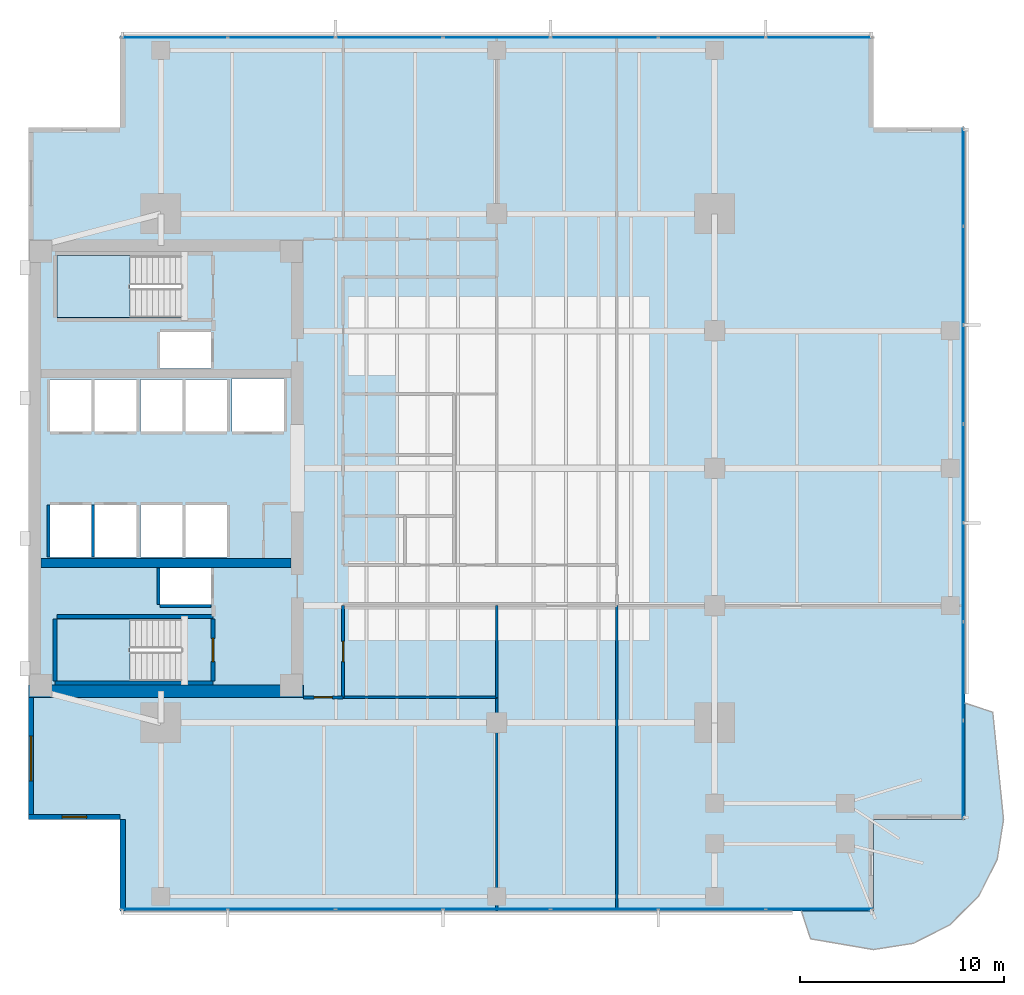
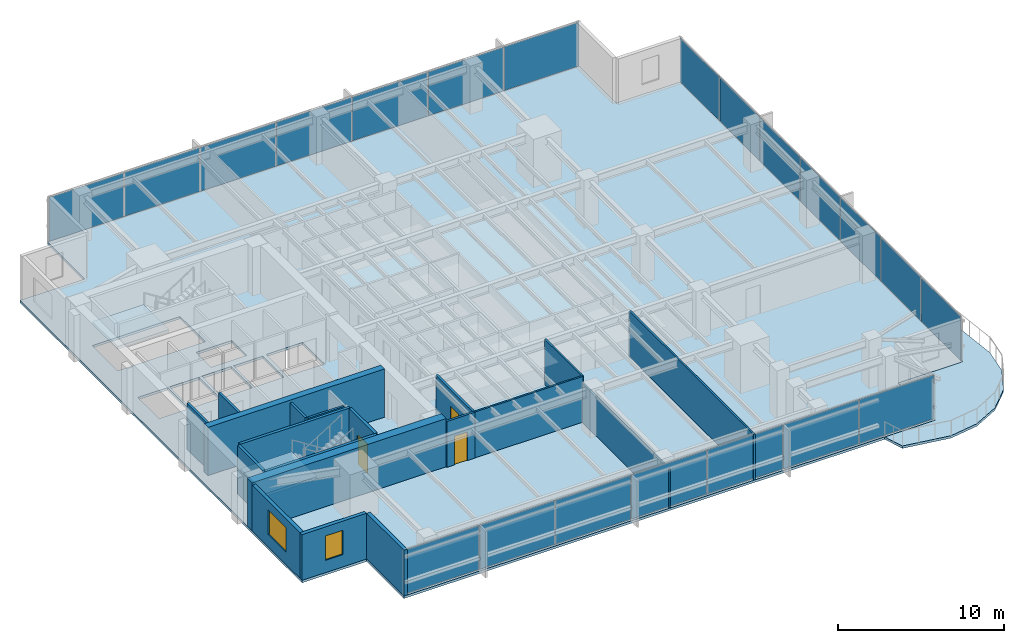
# One storey, part 7 of 14: 21 plates, 19 walls, 4 slabs, 3 doors, 2 windows, 5 openings, 5 elements without a shape of their own.
"""IFC4 building model written with IfcOpenShell, lengths in metres."""

from ifc_helpers import new_model, si_unit, direction, frame, frame_2d, origin, origin_2d, place, context, subcontext, project, spatial, polyline, rectangle, outline, extrude, material, layer, layer_set, type_object, element, fill, aggregate, save


model = new_model("IFC4")

# Units and contexts
model_context = context("Model", 3, precision=1e-05, world=origin(), true_north=direction((0.0, 1.0)))
body_context = subcontext(model_context, "Body", "Model", "MODEL_VIEW")
ifc_project = project(units=[si_unit("LENGTHUNIT", "METRE"), si_unit("AREAUNIT", "SQUARE_METRE"), si_unit("VOLUMEUNIT", "CUBIC_METRE"), si_unit("PLANEANGLEUNIT", "RADIAN"), si_unit("MASSUNIT", "GRAM", prefix="KILO")], contexts=[model_context])

# Site, building, storey
site_placement = place(None, origin())
site = spatial("IfcSite", under=ifc_project, at=site_placement, CompositionType="ELEMENT")
building_placement = place(site_placement, origin())
building = spatial("IfcBuilding", under=site, at=building_placement, Name="Kinhvarn Gate Tower", CompositionType="ELEMENT")
storey_placement = place(building_placement, frame((0.0, 0.0, 141.300048828125)))
storey = spatial("IfcBuildingStorey", under=building, at=storey_placement, Name="L37", CompositionType="ELEMENT", Elevation=141.300048828125)

# Curtain wall, plates
ifc_material_1 = material(Name="Anodised aluminium AW-6063", Category="aluminium")
ifc_layer_1 = layer(ifc_material_1, 0.179931640625)
ifc_layer_set_1 = layer_set([ifc_layer_1], Name="Anodised aluminium AW-6063")
curtain_wall_type = type_object("IfcCurtainWallType", Name="CW-SYS-3", PredefinedType="NOTDEFINED", material=ifc_layer_set_1)
curtain_wall_1_placement = place(storey_placement, origin())
curtain_wall_1 = element("IfcCurtainWall", 1, at=curtain_wall_1_placement, inside=storey, type_object=curtain_wall_type, Name="Curtain Wall CW3 (L37)", PredefinedType="NOTDEFINED")
ifc_material_2 = material(Name="Clear low-e double glazing", Category="glass")
ifc_layer_2 = layer(ifc_material_2, 0.031982421875)
ifc_layer_set_2 = layer_set([ifc_layer_2], Name="Clear low-e double glazing")
plate_type = type_object("IfcPlateType", Name="CW-PNL-VIS", PredefinedType="CURTAIN_PANEL", material=ifc_layer_set_2)
plate_1_placement = place(storey_placement, frame((11.6591796875, 3.590087890625, 0.070068359375), z_axis=(0.0, 0.0, 1.0), x_axis=(1.0, 0.0, 0.0)))
plate_1 = element("IfcPlate", 2, at=plate_1_placement, type_object=plate_type, Name="CW3 panel 1.1", PredefinedType="CURTAIN_PANEL", context=body_context, shape_type="SweptSolid", body=[
    extrude(rectangle(XDim=5.188232421875, YDim=0.031982421875, at=origin_2d()), origin(), (0.0, 0.0, 1.0), 3.22998046875),
])
plate_2_placement = place(storey_placement, frame((16.928466796875, 3.590087890625, 0.070068359375), z_axis=(0.0, 0.0, 1.0), x_axis=(1.0, 0.0, 0.0)))
plate_2 = element("IfcPlate", 3, at=plate_2_placement, type_object=plate_type, Name="CW3 panel 2.1", PredefinedType="CURTAIN_PANEL", context=body_context, shape_type="SweptSolid", body=[
    extrude(rectangle(XDim=5.220703125, YDim=0.031982421875, at=origin_2d()), origin(), (0.0, 0.0, 1.0), 3.22998046875),
])
plate_3_placement = place(storey_placement, frame((22.21435546875, 3.590087890625, 0.070068359375), z_axis=(0.0, 0.0, 1.0), x_axis=(1.0, 0.0, 0.0)))
plate_3 = element("IfcPlate", 4, at=plate_3_placement, type_object=plate_type, Name="CW3 panel 3.1", PredefinedType="CURTAIN_PANEL", context=body_context, shape_type="SweptSolid", body=[
    extrude(rectangle(XDim=5.220703125, YDim=0.031982421875, at=origin_2d()), origin(), (0.0, 0.0, 1.0), 3.22998046875),
])
plate_4_placement = place(storey_placement, frame((27.5, 3.590087890625, 0.070068359375), z_axis=(0.0, 0.0, 1.0), x_axis=(1.0, 0.0, 0.0)))
plate_4 = element("IfcPlate", 5, at=plate_4_placement, type_object=plate_type, Name="CW3 panel 4.1", PredefinedType="CURTAIN_PANEL", context=body_context, shape_type="SweptSolid", body=[
    extrude(rectangle(XDim=5.220703125, YDim=0.031982421875, at=origin_2d()), origin(), (0.0, 0.0, 1.0), 3.22998046875),
])
plate_5_placement = place(storey_placement, frame((32.78564453125, 3.590087890625, 0.070068359375), z_axis=(0.0, 0.0, 1.0), x_axis=(1.0, 0.0, 0.0)))
plate_5 = element("IfcPlate", 6, at=plate_5_placement, type_object=plate_type, Name="CW3 panel 5.1", PredefinedType="CURTAIN_PANEL", context=body_context, shape_type="SweptSolid", body=[
    extrude(rectangle(XDim=5.220703125, YDim=0.031982421875, at=origin_2d()), origin(), (0.0, 0.0, 1.0), 3.22998046875),
])
plate_6_placement = place(storey_placement, frame((38.071533203125, 3.590087890625, 0.070068359375), z_axis=(0.0, 0.0, 1.0), x_axis=(1.0, 0.0, 0.0)))
plate_6 = element("IfcPlate", 7, at=plate_6_placement, type_object=plate_type, Name="CW3 panel 6.1", PredefinedType="CURTAIN_PANEL", context=body_context, shape_type="SweptSolid", body=[
    extrude(rectangle(XDim=5.220703125, YDim=0.031982421875, at=origin_2d()), origin(), (0.0, 0.0, 1.0), 3.22998046875),
])
plate_7_placement = place(storey_placement, frame((43.3408203125, 3.590087890625, 0.070068359375), z_axis=(0.0, 0.0, 1.0), x_axis=(1.0, 0.0, 0.0)))
plate_7 = element("IfcPlate", 8, at=plate_7_placement, type_object=plate_type, Name="CW3 panel 7.1", PredefinedType="CURTAIN_PANEL", context=body_context, shape_type="SweptSolid", body=[
    extrude(rectangle(XDim=5.188232421875, YDim=0.031982421875, at=origin_2d()), origin(), (0.0, 0.0, 1.0), 3.22998046875),
])
aggregate(curtain_wall_1, [plate_1, plate_2, plate_3, plate_4, plate_5, plate_6, plate_7])

curtain_wall_2_placement = place(storey_placement, origin())
curtain_wall_2 = element("IfcCurtainWall", 9, at=curtain_wall_2_placement, inside=storey, type_object=curtain_wall_type, Name="Curtain Wall CW3 (L37)", PredefinedType="NOTDEFINED")
plate_8_placement = place(storey_placement, frame((43.3408203125, 46.409912109375, 0.070068359375), z_axis=(0.0, 0.0, 1.0), x_axis=(-1.0, 0.0, 0.0)))
plate_8 = element("IfcPlate", 10, at=plate_8_placement, type_object=plate_type, Name="CW3 panel 1.1", PredefinedType="CURTAIN_PANEL", context=body_context, shape_type="SweptSolid", body=[
    extrude(rectangle(XDim=5.188232421875, YDim=0.031982421875, at=origin_2d()), origin(), (0.0, 0.0, 1.0), 3.22998046875),
])
plate_9_placement = place(storey_placement, frame((38.071533203125, 46.409912109375, 0.070068359375), z_axis=(0.0, 0.0, 1.0), x_axis=(-1.0, 0.0, 0.0)))
plate_9 = element("IfcPlate", 11, at=plate_9_placement, type_object=plate_type, Name="CW3 panel 2.1", PredefinedType="CURTAIN_PANEL", context=body_context, shape_type="SweptSolid", body=[
    extrude(rectangle(XDim=5.220703125, YDim=0.031982421875, at=origin_2d()), origin(), (0.0, 0.0, 1.0), 3.22998046875),
])
plate_10_placement = place(storey_placement, frame((32.78564453125, 46.409912109375, 0.070068359375), z_axis=(0.0, 0.0, 1.0), x_axis=(-1.0, 0.0, 0.0)))
plate_10 = element("IfcPlate", 12, at=plate_10_placement, type_object=plate_type, Name="CW3 panel 3.1", PredefinedType="CURTAIN_PANEL", context=body_context, shape_type="SweptSolid", body=[
    extrude(rectangle(XDim=5.220703125, YDim=0.031982421875, at=origin_2d()), origin(), (0.0, 0.0, 1.0), 3.22998046875),
])
plate_11_placement = place(storey_placement, frame((27.5, 46.409912109375, 0.070068359375), z_axis=(0.0, 0.0, 1.0), x_axis=(-1.0, 0.0, 0.0)))
plate_11 = element("IfcPlate", 13, at=plate_11_placement, type_object=plate_type, Name="CW3 panel 4.1", PredefinedType="CURTAIN_PANEL", context=body_context, shape_type="SweptSolid", body=[
    extrude(rectangle(XDim=5.220703125, YDim=0.031982421875, at=origin_2d()), origin(), (0.0, 0.0, 1.0), 3.22998046875),
])
plate_12_placement = place(storey_placement, frame((22.21435546875, 46.409912109375, 0.070068359375), z_axis=(0.0, 0.0, 1.0), x_axis=(-1.0, 0.0, 0.0)))
plate_12 = element("IfcPlate", 14, at=plate_12_placement, type_object=plate_type, Name="CW3 panel 5.1", PredefinedType="CURTAIN_PANEL", context=body_context, shape_type="SweptSolid", body=[
    extrude(rectangle(XDim=5.220703125, YDim=0.031982421875, at=origin_2d()), origin(), (0.0, 0.0, 1.0), 3.22998046875),
])
plate_13_placement = place(storey_placement, frame((16.928466796875, 46.409912109375, 0.070068359375), z_axis=(0.0, 0.0, 1.0), x_axis=(-1.0, 0.0, 0.0)))
plate_13 = element("IfcPlate", 15, at=plate_13_placement, type_object=plate_type, Name="CW3 panel 6.1", PredefinedType="CURTAIN_PANEL", context=body_context, shape_type="SweptSolid", body=[
    extrude(rectangle(XDim=5.220703125, YDim=0.031982421875, at=origin_2d()), origin(), (0.0, 0.0, 1.0), 3.22998046875),
])
plate_14_placement = place(storey_placement, frame((11.6591796875, 46.409912109375, 0.070068359375), z_axis=(0.0, 0.0, 1.0), x_axis=(-1.0, 0.0, 0.0)))
plate_14 = element("IfcPlate", 16, at=plate_14_placement, type_object=plate_type, Name="CW3 panel 7.1", PredefinedType="CURTAIN_PANEL", context=body_context, shape_type="SweptSolid", body=[
    extrude(rectangle(XDim=5.188232421875, YDim=0.031982421875, at=origin_2d()), origin(), (0.0, 0.0, 1.0), 3.22998046875),
])
aggregate(curtain_wall_2, [plate_8, plate_9, plate_10, plate_11, plate_12, plate_13, plate_14])

curtain_wall_3_placement = place(storey_placement, origin())
curtain_wall_3 = element("IfcCurtainWall", 17, at=curtain_wall_3_placement, inside=storey, type_object=curtain_wall_type, Name="Curtain Wall CW3 (L37)", PredefinedType="NOTDEFINED")
plate_15_placement = place(storey_placement, frame((50.409912109375, 10.44482421875, 0.070068359375), z_axis=(0.0, 0.0, 1.0), x_axis=(0.0, 1.0, 0.0)))
plate_15 = element("IfcPlate", 18, at=plate_15_placement, type_object=plate_type, Name="CW3 panel 1.1", PredefinedType="CURTAIN_PANEL", context=body_context, shape_type="SweptSolid", body=[
    extrude(rectangle(XDim=4.759521484375, YDim=0.031982421875, at=origin_2d()), origin(), (0.0, 0.0, 1.0), 3.22998046875),
])
plate_16_placement = place(storey_placement, frame((50.409912109375, 15.28564453125, 0.070068359375), z_axis=(0.0, 0.0, 1.0), x_axis=(0.0, 1.0, 0.0)))
plate_16 = element("IfcPlate", 19, at=plate_16_placement, type_object=plate_type, Name="CW3 panel 2.1", PredefinedType="CURTAIN_PANEL", context=body_context, shape_type="SweptSolid", body=[
    extrude(rectangle(XDim=4.792236328125, YDim=0.031982421875, at=origin_2d()), origin(), (0.0, 0.0, 1.0), 3.22998046875),
])
plate_17_placement = place(storey_placement, frame((50.409912109375, 20.142822265625, 0.070068359375), z_axis=(0.0, 0.0, 1.0), x_axis=(0.0, 1.0, 0.0)))
plate_17 = element("IfcPlate", 20, at=plate_17_placement, type_object=plate_type, Name="CW3 panel 3.1", PredefinedType="CURTAIN_PANEL", context=body_context, shape_type="SweptSolid", body=[
    extrude(rectangle(XDim=4.792236328125, YDim=0.031982421875, at=origin_2d()), origin(), (0.0, 0.0, 1.0), 3.22998046875),
])
plate_18_placement = place(storey_placement, frame((50.409912109375, 25.0, 0.070068359375), z_axis=(0.0, 0.0, 1.0), x_axis=(0.0, 1.0, 0.0)))
plate_18 = element("IfcPlate", 21, at=plate_18_placement, type_object=plate_type, Name="CW3 panel 4.1", PredefinedType="CURTAIN_PANEL", context=body_context, shape_type="SweptSolid", body=[
    extrude(rectangle(XDim=4.792236328125, YDim=0.031982421875, at=origin_2d()), origin(), (0.0, 0.0, 1.0), 3.22998046875),
])
plate_19_placement = place(storey_placement, frame((50.409912109375, 29.857177734375, 0.070068359375), z_axis=(0.0, 0.0, 1.0), x_axis=(0.0, 1.0, 0.0)))
plate_19 = element("IfcPlate", 22, at=plate_19_placement, type_object=plate_type, Name="CW3 panel 5.1", PredefinedType="CURTAIN_PANEL", context=body_context, shape_type="SweptSolid", body=[
    extrude(rectangle(XDim=4.792236328125, YDim=0.031982421875, at=origin_2d()), origin(), (0.0, 0.0, 1.0), 3.22998046875),
])
plate_20_placement = place(storey_placement, frame((50.409912109375, 34.71435546875, 0.070068359375), z_axis=(0.0, 0.0, 1.0), x_axis=(0.0, 1.0, 0.0)))
plate_20 = element("IfcPlate", 23, at=plate_20_placement, type_object=plate_type, Name="CW3 panel 6.1", PredefinedType="CURTAIN_PANEL", context=body_context, shape_type="SweptSolid", body=[
    extrude(rectangle(XDim=4.792236328125, YDim=0.031982421875, at=origin_2d()), origin(), (0.0, 0.0, 1.0), 3.22998046875),
])
plate_21_placement = place(storey_placement, frame((50.409912109375, 39.55517578125, 0.070068359375), z_axis=(0.0, 0.0, 1.0), x_axis=(0.0, 1.0, 0.0)))
plate_21 = element("IfcPlate", 24, at=plate_21_placement, type_object=plate_type, Name="CW3 panel 7.1", PredefinedType="CURTAIN_PANEL", context=body_context, shape_type="SweptSolid", body=[
    extrude(rectangle(XDim=4.759521484375, YDim=0.031982421875, at=origin_2d()), origin(), (0.0, 0.0, 1.0), 3.22998046875),
])
aggregate(curtain_wall_3, [plate_15, plate_16, plate_17, plate_18, plate_19, plate_20, plate_21])

# Slabs
ifc_material_3 = material(Name="Precast white architectural concrete C40/50", Category="concrete")
ifc_layer_3 = layer(ifc_material_3, 0.179931640625)
ifc_layer_set_3 = layer_set([ifc_layer_3], Name="Precast white architectural concrete C40/50")
slab_type_1 = type_object("IfcSlabType", Name="SLB-BAL-180", PredefinedType="FLOOR", material=ifc_layer_set_3)
slab_1_placement = place(storey_placement, frame((0.0, 0.0, -0.179931640625)))
element("IfcSlab", 25, at=slab_1_placement, inside=storey, type_object=slab_type_1, Name="S-Carve Curved Terrace Balcony Slab L37 (SE)", PredefinedType="FLOOR", context=body_context, shape_type="SweptSolid", body=[
    extrude(outline(polyline([(42.462890625, 3.5), (42.9130859375, 2.13916015625), (46.0, 1.610107421875), (47.974609375, 1.922607421875), (49.755859375, 2.830322265625), (51.169677734375, 4.244140625), (52.077392578125, 6.025390625), (52.389892578125, 8.0), (51.86083984375, 13.26708984375), (50.5, 13.717041015625), (50.5, 8.0), (46.0, 8.0), (46.0, 3.5), (42.462890625, 3.5)])), origin(), (0.0, 0.0, 1.0), 0.179931640625),
])
ifc_material_4 = material(Name="Concrete C40/50", Category="concrete")
ifc_layer_4 = layer(ifc_material_4, 0.179931640625)
ifc_layer_set_4 = layer_set([ifc_layer_4], Name="Concrete C40/50")
slab_type_2 = type_object("IfcSlabType", Name="SLB-FLR-180", PredefinedType="FLOOR", material=ifc_layer_set_4)
slab_2_placement = place(storey_placement, frame((0.0, 0.0, -0.179931640625)))
element("IfcSlab", 26, at=slab_2_placement, inside=storey, type_object=slab_type_2, Name="Suspended Floor Slab L37", PredefinedType="FLOOR", context=body_context, shape_type="SweptSolid", body=[
    extrude(outline(polyline([(9.0, 3.5), (46.0, 3.5), (46.0, 8.0), (50.5, 8.0), (50.5, 42.0), (46.0, 42.0), (46.0, 46.5), (9.0, 46.5), (9.0, 42.0), (4.5, 42.0), (4.5, 8.0), (9.0, 8.0), (9.0, 3.5)]), holes=[polyline([(5.89990234375, 14.800048828125), (12.0, 14.800048828125), (12.0, 17.85009765625), (5.89990234375, 17.85009765625), (5.89990234375, 14.800048828125)]), polyline([(5.89990234375, 32.64990234375), (12.0, 32.64990234375), (12.0, 35.699951171875), (5.89990234375, 35.699951171875), (5.89990234375, 32.64990234375)]), polyline([(5.550048828125, 20.89990234375), (7.60009765625, 20.89990234375), (7.60009765625, 23.449951171875), (5.550048828125, 23.449951171875), (5.550048828125, 20.89990234375)]), polyline([(7.75, 20.89990234375), (9.800048828125, 20.89990234375), (9.800048828125, 23.449951171875), (7.75, 23.449951171875), (7.75, 20.89990234375)]), polyline([(5.550048828125, 27.050048828125), (7.60009765625, 27.050048828125), (7.60009765625, 29.60009765625), (5.550048828125, 29.60009765625), (5.550048828125, 27.050048828125)]), polyline([(7.75, 27.050048828125), (9.800048828125, 27.050048828125), (9.800048828125, 29.60009765625), (7.75, 29.60009765625), (7.75, 27.050048828125)]), polyline([(10.0, 20.89990234375), (12.050048828125, 20.89990234375), (12.050048828125, 23.449951171875), (10.0, 23.449951171875), (10.0, 20.89990234375)]), polyline([(12.199951171875, 20.89990234375), (14.25, 20.89990234375), (14.25, 23.449951171875), (12.199951171875, 23.449951171875), (12.199951171875, 20.89990234375)]), polyline([(10.0, 27.050048828125), (12.050048828125, 27.050048828125), (12.050048828125, 29.60009765625), (10.0, 29.60009765625), (10.0, 27.050048828125)]), polyline([(12.199951171875, 27.050048828125), (14.25, 27.050048828125), (14.25, 29.60009765625), (12.199951171875, 29.60009765625), (12.199951171875, 27.050048828125)]), polyline([(14.5, 27.050048828125), (17.050048828125, 27.050048828125), (17.050048828125, 29.64990234375), (14.5, 29.64990234375), (14.5, 27.050048828125)]), polyline([(10.949951171875, 18.550048828125), (13.449951171875, 18.550048828125), (13.449951171875, 20.35009765625), (10.949951171875, 20.35009765625), (10.949951171875, 18.550048828125)]), polyline([(10.949951171875, 30.14990234375), (13.449951171875, 30.14990234375), (13.449951171875, 31.949951171875), (10.949951171875, 31.949951171875), (10.949951171875, 30.14990234375)])]), origin(), (0.0, 0.0, 1.0), 0.179931640625),
])

# Stair, slab
stair_type = type_object("IfcStairType", Name="STR-DLG-177", PredefinedType="HALF_TURN_STAIR", material=ifc_material_4)
stair_1_placement = place(storey_placement, origin())
stair_1 = element("IfcStair", 27, at=stair_1_placement, inside=storey, type_object=stair_type, Name="L37 Core Smokeproof Exit Stair ST1", PredefinedType="HALF_TURN_STAIR")
ifc_layer_5 = layer(ifc_material_4, 0.199951171875)
ifc_layer_set_5 = layer_set([ifc_layer_5], Name="Concrete C40/50")
slab_type_3 = type_object("IfcSlabType", Name="SLB-ST-LND", PredefinedType="LANDING", material=ifc_layer_set_5)
slab_3_placement = place(storey_placement, frame((0.0, 0.0, 1.574951171875)))
slab_3 = element("IfcSlab", 28, at=slab_3_placement, type_object=slab_type_3, Name="ST1 landing 1", PredefinedType="LANDING", context=body_context, shape_type="SweptSolid", body=[
    extrude(outline(polyline([(9.47998046875, 17.85009765625), (5.89990234375, 17.85009765625), (5.89990234375, 14.800048828125), (9.47998046875, 14.800048828125), (9.47998046875, 17.85009765625)])), origin(), (0.0, 0.0, 1.0), 0.199951171875),
])
aggregate(stair_1, [slab_3])

stair_2_placement = place(storey_placement, origin())
stair_2 = element("IfcStair", 29, at=stair_2_placement, inside=storey, type_object=stair_type, Name="L37 Core Smokeproof Exit Stair ST2", PredefinedType="HALF_TURN_STAIR")
slab_4_placement = place(storey_placement, frame((0.0, 0.0, 1.574951171875)))
slab_4 = element("IfcSlab", 30, at=slab_4_placement, type_object=slab_type_3, Name="ST2 landing 1", PredefinedType="LANDING", context=body_context, shape_type="SweptSolid", body=[
    extrude(outline(polyline([(9.47998046875, 35.699951171875), (5.89990234375, 35.699951171875), (5.89990234375, 32.64990234375), (9.47998046875, 32.64990234375), (9.47998046875, 35.699951171875)])), origin(), (0.0, 0.0, 1.0), 0.199951171875),
])
aggregate(stair_2, [slab_4])

# Walls
ifc_material_5 = material(Name="Concrete C50/60", Category="concrete")
ifc_layer_6 = layer(ifc_material_5, 0.449951171875)
ifc_layer_set_6 = layer_set([ifc_layer_6], Name="Concrete C50/60")
wall_type_1 = type_object("IfcWallType", Name="WL-CORE-450", PredefinedType="SHEAR", material=ifc_layer_set_6)
wall_1_placement = place(storey_placement, frame((5.10009765625, 20.60009765625, 0.0), z_axis=(0.0, 0.0, 1.0), x_axis=(1.0, 0.0, 0.0)))
element("IfcWall", 31, at=wall_1_placement, inside=storey, type_object=wall_type_1, Name="Core South Spine Shear Wall L37 450 mm", PredefinedType="SHEAR", context=body_context, shape_type="SweptSolid", body=[
    extrude(rectangle(XDim=12.2998046875, YDim=0.449951171875, at=frame_2d((6.14990234375, 0.0))), origin(), (0.0, 0.0, 1.0), 3.550048828125),
])
ifc_material_6 = material(Name="Concrete C60/75", Category="concrete")
ifc_layer_7 = layer(ifc_material_6, 0.60009765625)
ifc_layer_set_7 = layer_set([ifc_layer_7], Name="Concrete C60/75")
wall_type_2 = type_object("IfcWallType", Name="WL-CORE-600", PredefinedType="SHEAR", material=ifc_layer_set_7)
wall_2_placement = place(storey_placement, frame((4.5, 14.300048828125, 0.0), z_axis=(0.0, 0.0, 1.0), x_axis=(1.0, 0.0, 0.0)))
element("IfcWall", 32, at=wall_2_placement, inside=storey, type_object=wall_type_2, Name="Core South Shear Wall L37 600 mm", PredefinedType="SHEAR", context=body_context, shape_type="SweptSolid", body=[
    extrude(rectangle(XDim=13.5, YDim=0.60009765625, at=frame_2d((6.75, 0.0))), origin(), (0.0, 0.0, 1.0), 3.550048828125),
])

# Wall, opening, window
ifc_material_7 = material(Name="Fired architectural terracotta", Category="masonry")
ifc_layer_8 = layer(ifc_material_7, 0.25)
ifc_layer_set_8 = layer_set([ifc_layer_8], Name="Fired architectural terracotta")
wall_type_3 = type_object("IfcWallType", Name="WL-EXT-250", PredefinedType="SOLIDWALL", material=ifc_layer_set_8)
wall_3_placement = place(storey_placement, frame((4.625, 14.0, 0.0), z_axis=(0.0, 0.0, 1.0), x_axis=(0.0, -1.0, 0.0)))
wall_3 = element("IfcWall", 33, at=wall_3_placement, inside=storey, type_object=wall_type_3, Name="Exterior Solidwall Wall EW-250 (L37 West-South)", PredefinedType="SOLIDWALL", context=body_context, shape_type="SweptSolid", body=[
    extrude(rectangle(XDim=6.0, YDim=0.25, at=frame_2d((3.0, 0.0))), origin(), (0.0, 0.0, 1.0), 3.369873046875),
])
opening_1_placement = place(wall_3_placement, frame((1.89990234375, 0.0, 0.89990234375)))
opening_1 = element("IfcOpeningElement", 34, at=opening_1_placement, cuts=wall_3, Name="Opening WN-01", PredefinedType="OPENING", context=body_context, shape_type="SweptSolid", body=[
    extrude(rectangle(XDim=2.199951171875, YDim=1.800048828125, at=frame_2d((1.10009765625, 0.89990234375))), frame((0.0, 0.135009765625, 0.0), z_axis=(0.0, -1.0, 0.0), x_axis=(1.0, 0.0, 0.0)), (0.0, 0.0, 1.0), 0.27001953125),
])
window_type_1 = type_object("IfcWindowType", Name="WIN-RIB-2200", PartitioningType="SINGLE_PANEL", PredefinedType="WINDOW", material=ifc_material_2)
window_1_placement = place(opening_1_placement, origin())
window_1 = element("IfcWindow", 35, at=window_1_placement, inside=storey, type_object=window_type_1, Name="West Flank Double-Glazed Ribbon Window 2200x1800 mm (L37)", OverallHeight=1.800048828125, OverallWidth=2.199951171875, PartitioningType="SINGLE_PANEL", PredefinedType="WINDOW", context=body_context, shape_type="SweptSolid", body=[
    extrude(rectangle(XDim=2.199951171875, YDim=1.800048828125, at=frame_2d((1.10009765625, 0.89990234375))), frame((0.0, 0.030029296875, 0.0), z_axis=(0.0, -1.0, 0.0), x_axis=(1.0, 0.0, 0.0)), (0.0, 0.0, 1.0), 0.06005859375),
])
fill(opening_1, window_1)

wall_4_placement = place(storey_placement, frame((4.5, 8.125, 0.0), z_axis=(0.0, 0.0, 1.0), x_axis=(1.0, 0.0, 0.0)))
wall_4 = element("IfcWall", 36, at=wall_4_placement, inside=storey, type_object=wall_type_3, Name="Exterior Solidwall Wall EW-250 (L37 SW-Notch-1)", PredefinedType="SOLIDWALL", context=body_context, shape_type="SweptSolid", body=[
    extrude(rectangle(XDim=4.5, YDim=0.25, at=frame_2d((2.25, 0.0))), origin(), (0.0, 0.0, 1.0), 3.369873046875),
])
opening_2_placement = place(wall_4_placement, frame((1.64990234375, 0.0, 0.89990234375)))
opening_2 = element("IfcOpeningElement", 37, at=opening_2_placement, cuts=wall_4, Name="Opening WN-02", PredefinedType="OPENING", context=body_context, shape_type="SweptSolid", body=[
    extrude(rectangle(XDim=1.199951171875, YDim=1.800048828125, at=frame_2d((0.60009765625, 0.89990234375))), frame((0.0, 0.135009765625, 0.0), z_axis=(0.0, -1.0, 0.0), x_axis=(1.0, 0.0, 0.0)), (0.0, 0.0, 1.0), 0.27001953125),
])
window_type_2 = type_object("IfcWindowType", Name="WIN-NTC-1200", PartitioningType="SINGLE_PANEL", PredefinedType="WINDOW", material=ifc_material_2)
window_2_placement = place(opening_2_placement, origin())
window_2 = element("IfcWindow", 38, at=window_2_placement, inside=storey, type_object=window_type_2, Name="Recessed Corner Notch Punched Window 1200x1800 mm (L37)", OverallHeight=1.800048828125, OverallWidth=1.199951171875, PartitioningType="SINGLE_PANEL", PredefinedType="WINDOW", context=body_context, shape_type="SweptSolid", body=[
    extrude(rectangle(XDim=1.199951171875, YDim=1.800048828125, at=frame_2d((0.60009765625, 0.89990234375))), frame((0.0, 0.030029296875, 0.0), z_axis=(0.0, -1.0, 0.0), x_axis=(1.0, 0.0, 0.0)), (0.0, 0.0, 1.0), 0.06005859375),
])
fill(opening_2, window_2)

# Walls
wall_5_placement = place(storey_placement, frame((9.125, 8.0, 0.0), z_axis=(0.0, 0.0, 1.0), x_axis=(0.0, -1.0, 0.0)))
element("IfcWall", 39, at=wall_5_placement, inside=storey, type_object=wall_type_3, Name="Exterior Solidwall Wall EW-250 (L37 SW-Notch-2)", PredefinedType="SOLIDWALL", context=body_context, shape_type="SweptSolid", body=[
    extrude(rectangle(XDim=4.5, YDim=0.25, at=frame_2d((2.25, 0.0))), origin(), (0.0, 0.0, 1.0), 3.369873046875),
])
ifc_material_8 = material(Name="Gypsum acoustic partition board")
ifc_layer_9 = layer(ifc_material_8, 0.1201171875)
ifc_layer_set_9 = layer_set([ifc_layer_9], Name="Gypsum acoustic partition board")
wall_type_4 = type_object("IfcWallType", Name="WL-PRT-120", PredefinedType="PARTITIONING", material=ifc_layer_set_9)
wall_6_placement = place(storey_placement, frame((19.949951171875, 14.0, 0.0), z_axis=(0.0, 0.0, 1.0), x_axis=(1.0, 0.0, 0.0)))
element("IfcWall", 40, at=wall_6_placement, inside=storey, type_object=wall_type_4, Name="Interior Partition PW-120 (L37)", PredefinedType="PARTITIONING", context=body_context, shape_type="SweptSolid", body=[
    extrude(rectangle(XDim=7.550048828125, YDim=0.1201171875, at=frame_2d((3.77490234375, 0.0))), origin(), (0.0, 0.0, 1.0), 3.369873046875),
])
wall_7_placement = place(storey_placement, frame((27.5, 3.510009765625, 0.0), z_axis=(0.0, 0.0, 1.0), x_axis=(0.0, 1.0, 0.0)))
element("IfcWall", 41, at=wall_7_placement, inside=storey, type_object=wall_type_4, Name="Interior Partition PW-120 (L37)", PredefinedType="PARTITIONING", context=body_context, shape_type="SweptSolid", body=[
    extrude(rectangle(XDim=10.489990234375, YDim=0.1201171875, at=frame_2d((5.2451171875, 0.0))), origin(), (0.0, 0.0, 1.0), 2.869873046875),
])
wall_8_placement = place(storey_placement, frame((27.5, 14.0, 0.0), z_axis=(0.0, 0.0, 1.0), x_axis=(0.0, 1.0, 0.0)))
element("IfcWall", 42, at=wall_8_placement, inside=storey, type_object=wall_type_4, Name="Interior Partition PW-120 (L37)", PredefinedType="PARTITIONING", context=body_context, shape_type="SweptSolid", body=[
    extrude(rectangle(XDim=4.5, YDim=0.1201171875, at=frame_2d((2.25, 0.0))), origin(), (0.0, 0.0, 1.0), 3.369873046875),
])
wall_9_placement = place(storey_placement, frame((33.39990234375, 3.510009765625, 0.0), z_axis=(0.0, 0.0, 1.0), x_axis=(0.0, 1.0, 0.0)))
element("IfcWall", 43, at=wall_9_placement, inside=storey, type_object=wall_type_4, Name="Interior Partition PW-120 (L37)", PredefinedType="PARTITIONING", context=body_context, shape_type="SweptSolid", body=[
    extrude(rectangle(XDim=14.989990234375, YDim=0.1201171875, at=frame_2d((7.4951171875, 0.0))), origin(), (0.0, 0.0, 1.0), 3.369873046875),
])

# Wall, opening, door
ifc_layer_10 = layer(ifc_material_8, 0.14990234375)
ifc_layer_set_10 = layer_set([ifc_layer_10], Name="Gypsum acoustic partition board")
wall_type_5 = type_object("IfcWallType", Name="WL-PRT-150F", PredefinedType="PARTITIONING", material=ifc_layer_set_10)
wall_10_placement = place(storey_placement, frame((18.0, 14.0, 0.0), z_axis=(0.0, 0.0, 1.0), x_axis=(1.0, 0.0, 0.0)))
wall_10 = element("IfcWall", 44, at=wall_10_placement, inside=storey, type_object=wall_type_5, Name="Interior Partition PW-150F (L37)", PredefinedType="PARTITIONING", context=body_context, shape_type="SweptSolid", body=[
    extrude(rectangle(XDim=1.949951171875, YDim=0.14990234375, at=frame_2d((0.97509765625, 0.0))), origin(), (0.0, 0.0, 1.0), 3.369873046875),
])
opening_3_placement = place(wall_10_placement, frame((0.52490234375, 0.0, 0.0)))
opening_3 = element("IfcOpeningElement", 45, at=opening_3_placement, cuts=wall_10, Name="Opening ID-03", PredefinedType="OPENING", context=body_context, shape_type="SweptSolid", body=[
    extrude(rectangle(XDim=0.89990234375, YDim=2.10009765625, at=frame_2d((0.449951171875, 1.050048828125))), frame((0.0, 0.0849609375, 0.0), z_axis=(0.0, -1.0, 0.0), x_axis=(1.0, 0.0, 0.0)), (0.0, 0.0, 1.0), 0.169921875),
])
door_type_1 = type_object("IfcDoorType", Name="DR-INT-900", OperationType="NOTDEFINED", PredefinedType="DOOR", material=ifc_material_1)
door_1_placement = place(opening_3_placement, origin())
door_1 = element("IfcDoor", 46, at=door_1_placement, inside=storey, type_object=door_type_1, Name="Cellular Office & Restroom Door 900x2100 mm (L37)", OperationType="SINGLE_SWING_RIGHT", OverallHeight=2.10009765625, OverallWidth=0.89990234375, PredefinedType="DOOR", context=body_context, shape_type="SweptSolid", body=[
    extrude(rectangle(XDim=0.89990234375, YDim=2.10009765625, at=frame_2d((0.449951171875, 1.050048828125))), frame((0.0, 0.02490234375, 0.0), z_axis=(0.0, -1.0, 0.0), x_axis=(1.0, 0.0, 0.0)), (0.0, 0.0, 1.0), 0.050048828125),
])
fill(opening_3, door_1)

wall_11_placement = place(storey_placement, frame((19.949951171875, 14.0, 0.0), z_axis=(0.0, 0.0, 1.0), x_axis=(0.0, 1.0, 0.0)))
wall_11 = element("IfcWall", 47, at=wall_11_placement, inside=storey, type_object=wall_type_5, Name="Interior Partition PW-150F (L37)", PredefinedType="PARTITIONING", context=body_context, shape_type="SweptSolid", body=[
    extrude(rectangle(XDim=4.5, YDim=0.14990234375, at=frame_2d((2.25, 0.0))), origin(), (0.0, 0.0, 1.0), 3.369873046875),
])
opening_4_placement = place(wall_11_placement, frame((1.75, 0.0, 0.0)))
opening_4 = element("IfcOpeningElement", 48, at=opening_4_placement, cuts=wall_11, Name="Opening ID-02", PredefinedType="OPENING", context=body_context, shape_type="SweptSolid", body=[
    extrude(rectangle(XDim=1.0, YDim=2.14990234375, at=frame_2d((0.5, 1.074951171875))), frame((0.0, 0.0849609375, 0.0), z_axis=(0.0, -1.0, 0.0), x_axis=(1.0, 0.0, 0.0)), (0.0, 0.0, 1.0), 0.169921875),
])
door_type_2 = type_object("IfcDoorType", Name="DR-INT-1000", OperationType="NOTDEFINED", PredefinedType="DOOR", material=ifc_material_1)
door_2_placement = place(opening_4_placement, origin())
door_2 = element("IfcDoor", 49, at=door_2_placement, inside=storey, type_object=door_type_2, Name="Standard Office & Meeting Room Door 1000x2150 mm (L37)", OperationType="SINGLE_SWING_LEFT", OverallHeight=2.14990234375, OverallWidth=1.0, PredefinedType="DOOR", context=body_context, shape_type="SweptSolid", body=[
    extrude(rectangle(XDim=1.0, YDim=2.14990234375, at=frame_2d((0.5, 1.074951171875))), frame((0.0, 0.02490234375, 0.0), z_axis=(0.0, -1.0, 0.0), x_axis=(1.0, 0.0, 0.0)), (0.0, 0.0, 1.0), 0.050048828125),
])
fill(opening_4, door_2)

# Walls
ifc_layer_11 = layer(ifc_material_8, 0.14990234375)
ifc_layer_set_11 = layer_set([ifc_layer_11], Name="Gypsum acoustic partition board")
wall_type_6 = type_object("IfcWallType", Name="WL-SHF-150", PredefinedType="PARTITIONING", material=ifc_layer_set_11)
for number, where, z_axis, x_axis, name in (
    (50, (5.47509765625, 20.89990234375, 0.0), (0.0, 0.0, 1.0), (0.0, 1.0, 0.0), "Elevator PM-05 Hoistway Wall W (L37)"),
    (51, (7.675048828125, 20.89990234375, 0.0), (0.0, 0.0, 1.0), (0.0, 1.0, 0.0), "Elevator PM-05 Hoistway Wall E (L37)"),
):
    element("IfcWall", number, at=place(storey_placement, frame(where, z_axis=z_axis, x_axis=x_axis)), inside=storey, type_object=wall_type_6, Name=name, PredefinedType="PARTITIONING", context=body_context, shape_type="SweptSolid", body=[
        extrude(rectangle(XDim=2.550048828125, YDim=0.14990234375, at=frame_2d((1.27490234375, 0.0))), origin(), (0.0, 0.0, 1.0), 3.369873046875),
    ])
wall_12_placement = place(storey_placement, frame((10.949951171875, 18.47509765625, 0.0), z_axis=(0.0, 0.0, 1.0), x_axis=(1.0, 0.0, 0.0)))
element("IfcWall", 52, at=wall_12_placement, inside=storey, type_object=wall_type_6, Name="Elevator FF1 Hoistway Wall S (L37)", PredefinedType="PARTITIONING", context=body_context, shape_type="SweptSolid", body=[
    extrude(rectangle(XDim=2.5, YDim=0.14990234375, at=frame_2d((1.25, 0.0))), origin(), (0.0, 0.0, 1.0), 3.369873046875),
])
wall_13_placement = place(storey_placement, frame((10.875, 18.550048828125, 0.0), z_axis=(0.0, 0.0, 1.0), x_axis=(0.0, 1.0, 0.0)))
element("IfcWall", 53, at=wall_13_placement, inside=storey, type_object=wall_type_6, Name="Elevator FF1 Hoistway Wall W (L37)", PredefinedType="PARTITIONING", context=body_context, shape_type="SweptSolid", body=[
    extrude(rectangle(XDim=1.800048828125, YDim=0.14990234375, at=frame_2d((0.89990234375, 0.0))), origin(), (0.0, 0.0, 1.0), 3.369873046875),
])
ifc_layer_12 = layer(ifc_material_4, 0.199951171875)
ifc_layer_set_12 = layer_set([ifc_layer_12], Name="Concrete C40/50")
wall_type_7 = type_object("IfcWallType", Name="WL-SHF-200", PredefinedType="SOLIDWALL", material=ifc_layer_set_12)
wall_14_placement = place(storey_placement, frame((5.800048828125, 14.699951171875, 0.0), z_axis=(0.0, 0.0, 1.0), x_axis=(1.0, 0.0, 0.0)))
element("IfcWall", 54, at=wall_14_placement, inside=storey, type_object=wall_type_7, Name="Stair ST1 South Shaft Wall (L37)", PredefinedType="SOLIDWALL", context=body_context, shape_type="SweptSolid", body=[
    extrude(rectangle(XDim=7.75, YDim=0.199951171875, at=frame_2d((3.875, 0.0))), origin(), (0.0, 0.0, 1.0), 3.550048828125),
])
wall_15_placement = place(storey_placement, frame((5.7900390625, 14.800048828125, 0.0), z_axis=(0.0, 0.0, 1.0), x_axis=(0.0, 1.0, 0.0)))
element("IfcWall", 55, at=wall_15_placement, inside=storey, type_object=wall_type_7, Name="Stair ST1 West Shaft Wall (L37)", PredefinedType="SOLIDWALL", context=body_context, shape_type="SweptSolid", body=[
    extrude(rectangle(XDim=3.050048828125, YDim=0.199951171875, at=frame_2d((1.52490234375, 0.0))), origin(), (0.0, 0.0, 1.0), 3.550048828125),
])
wall_16_placement = place(storey_placement, frame((5.89990234375, 17.9599609375, 0.0), z_axis=(0.0, 0.0, 1.0), x_axis=(1.0, 0.0, 0.0)))
element("IfcWall", 56, at=wall_16_placement, inside=storey, type_object=wall_type_7, Name="Stair ST1 North Shaft Wall (L37)", PredefinedType="SOLIDWALL", context=body_context, shape_type="SweptSolid", body=[
    extrude(rectangle(XDim=7.66015625, YDim=0.199951171875, at=frame_2d((3.830078125, 0.0))), origin(), (0.0, 0.0, 1.0), 3.550048828125),
])

# Wall, opening, door
wall_17_placement = place(storey_placement, frame((13.56005859375, 14.800048828125, 0.0), z_axis=(0.0, 0.0, 1.0), x_axis=(0.0, 1.0, 0.0)))
wall_17 = element("IfcWall", 57, at=wall_17_placement, inside=storey, type_object=wall_type_7, Name="Stair ST1 East Entry Wall (L37)", PredefinedType="SOLIDWALL", context=body_context, shape_type="SweptSolid", body=[
    extrude(rectangle(XDim=3.050048828125, YDim=0.199951171875, at=frame_2d((1.52490234375, 0.0))), origin(), (0.0, 0.0, 1.0), 3.550048828125),
])
opening_5_placement = place(wall_17_placement, frame((0.949951171875, 0.0, 0.0)))
opening_5 = element("IfcOpeningElement", 58, at=opening_5_placement, cuts=wall_17, Name="Opening FD-01", PredefinedType="OPENING", context=body_context, shape_type="SweptSolid", body=[
    extrude(rectangle(XDim=1.14990234375, YDim=2.14990234375, at=frame_2d((0.574951171875, 1.074951171875))), frame((0.0, 0.10986328125, 0.0), z_axis=(0.0, -1.0, 0.0), x_axis=(1.0, 0.0, 0.0)), (0.0, 0.0, 1.0), 0.219970703125),
])
door_type_3 = type_object("IfcDoorType", Name="DR-ST-1150", OperationType="NOTDEFINED", PredefinedType="DOOR", material=ifc_material_1)
door_3_placement = place(opening_5_placement, origin())
door_3 = element("IfcDoor", 59, at=door_3_placement, inside=storey, type_object=door_type_3, Name="Exit Stair ST1 Fire Door (L37)", OperationType="SINGLE_SWING_LEFT", OverallHeight=2.14990234375, OverallWidth=1.14990234375, PredefinedType="DOOR", context=body_context, shape_type="SweptSolid", body=[
    extrude(rectangle(XDim=1.14990234375, YDim=2.14990234375, at=frame_2d((0.574951171875, 1.074951171875))), frame((0.0, 0.02490234375, 0.0), z_axis=(0.0, -1.0, 0.0), x_axis=(1.0, 0.0, 0.0)), (0.0, 0.0, 1.0), 0.050048828125),
])
fill(opening_5, door_3)

save(model, "model.ifc")
